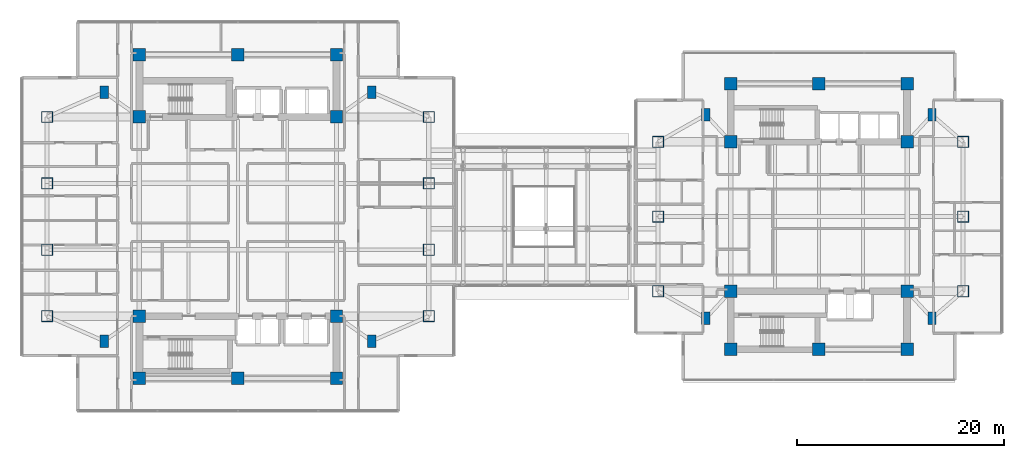
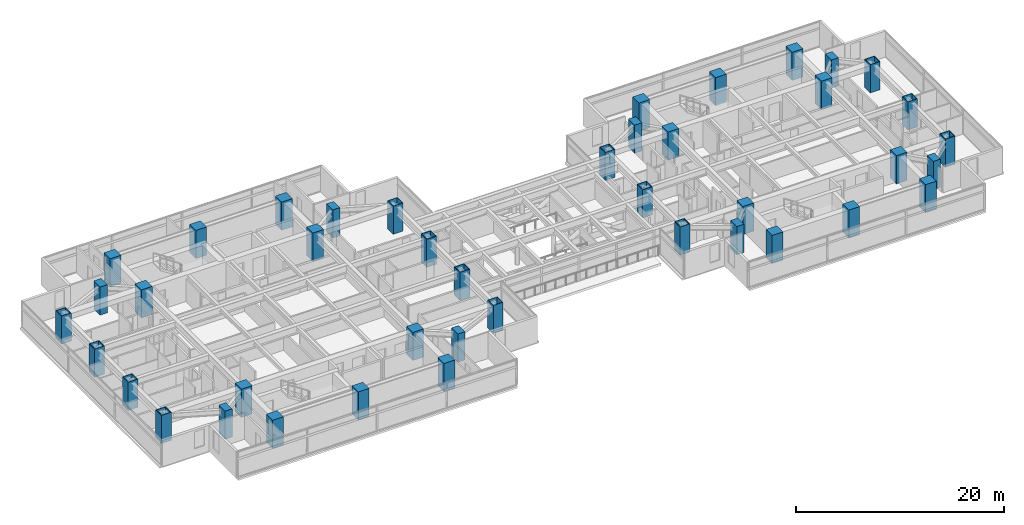
# One storey, part 1 of 27: 42 columns.
"""IFC4 building model written with IfcOpenShell, lengths in metres."""

from ifc_helpers import new_model, si_unit, direction, frame, origin, origin_2d, place, context, subcontext, project, spatial, rectangle, hollow_rectangle, extrude, material, material_profile, profile_set, type_object, element, save


model = new_model("IFC4")

# Units and contexts
model_context = context("Model", 3, precision=1e-05, world=origin(), true_north=direction((0.0, 1.0)))
body_context = subcontext(model_context, "Body", "Model", "MODEL_VIEW")
ifc_project = project(units=[si_unit("LENGTHUNIT", "METRE"), si_unit("AREAUNIT", "SQUARE_METRE"), si_unit("VOLUMEUNIT", "CUBIC_METRE"), si_unit("PLANEANGLEUNIT", "RADIAN"), si_unit("MASSUNIT", "GRAM", prefix="KILO")], contexts=[model_context])

# Site, building, storey
site_placement = place(None, origin())
site = spatial("IfcSite", under=ifc_project, at=site_placement, CompositionType="ELEMENT")
building_placement = place(site_placement, origin())
building = spatial("IfcBuilding", under=site, at=building_placement, Name="Mirazonda Arch Towers", CompositionType="ELEMENT")
storey_placement = place(building_placement, frame((0.0, 0.0, 95.0)))
storey = spatial("IfcBuildingStorey", under=building, at=storey_placement, Name="L26", CompositionType="ELEMENT", Elevation=95.0)

# Columns
ifc_material_1 = material(Name="Concrete C50/60", Category="concrete")
ifc_material_profile_1 = material_profile(ifc_material_1, rectangle(XDim=1.199951171875, YDim=1.199951171875, at=origin_2d()), Name="RC1200x1200")
ifc_profile_set_1 = profile_set([ifc_material_profile_1], Name="Concrete C50/60")
column_type_1 = type_object("IfcColumnType", Name="COL-INT-RC1200x1200", PredefinedType="COLUMN", material=ifc_profile_set_1)
for number, where, z_axis, x_axis, name in (
    (1, (11.0, 12.39990234375, 0.0), (0.0, 0.0, 1.0), (1.0, 0.0, 0.0), "L26 T1 Core Column 01"),
    (2, (20.5, 12.39990234375, 0.0), (0.0, 0.0, 1.0), (1.0, 0.0, 0.0), "L26 T1 Core Column 02"),
    (3, (30.0, 12.39990234375, 0.0), (0.0, 0.0, 1.0), (1.0, 0.0, 0.0), "L26 T1 Core Column 03"),
    (4, (11.0, 18.39990234375, 0.0), (0.0, 0.0, 1.0), (1.0, 0.0, 0.0), "L26 T1 Core Column 04"),
    (5, (30.0, 18.39990234375, 0.0), (0.0, 0.0, 1.0), (1.0, 0.0, 0.0), "L26 T1 Core Column 05"),
    (6, (11.0, 37.60009765625, 0.0), (0.0, 0.0, 1.0), (1.0, 0.0, 0.0), "L26 T1 Core Column 06"),
    (7, (30.0, 37.60009765625, 0.0), (0.0, 0.0, 1.0), (1.0, 0.0, 0.0), "L26 T1 Core Column 07"),
    (8, (11.0, 43.60009765625, 0.0), (0.0, 0.0, 1.0), (1.0, 0.0, 0.0), "L26 T1 Core Column 08"),
    (9, (20.5, 43.60009765625, 0.0), (0.0, 0.0, 1.0), (1.0, 0.0, 0.0), "L26 T1 Core Column 09"),
    (10, (30.0, 43.60009765625, 0.0), (0.0, 0.0, 1.0), (1.0, 0.0, 0.0), "L26 T1 Core Column 10"),
    (11, (68.0, 15.199951171875, 0.0), (0.0, 0.0, 1.0), (1.0, 0.0, 0.0), "L26 T2 Core Column 01"),
    (12, (76.5, 15.199951171875, 0.0), (0.0, 0.0, 1.0), (1.0, 0.0, 0.0), "L26 T2 Core Column 02"),
    (13, (85.0, 15.199951171875, 0.0), (0.0, 0.0, 1.0), (1.0, 0.0, 0.0), "L26 T2 Core Column 03"),
    (14, (68.0, 20.800048828125, 0.0), (0.0, 0.0, 1.0), (1.0, 0.0, 0.0), "L26 T2 Core Column 04"),
    (15, (85.0, 20.800048828125, 0.0), (0.0, 0.0, 1.0), (1.0, 0.0, 0.0), "L26 T2 Core Column 05"),
    (16, (68.0, 35.199951171875, 0.0), (0.0, 0.0, 1.0), (1.0, 0.0, 0.0), "L26 T2 Core Column 06"),
    (17, (85.0, 35.199951171875, 0.0), (0.0, 0.0, 1.0), (1.0, 0.0, 0.0), "L26 T2 Core Column 07"),
    (18, (68.0, 40.800048828125, 0.0), (0.0, 0.0, 1.0), (1.0, 0.0, 0.0), "L26 T2 Core Column 08"),
    (19, (76.5, 40.800048828125, 0.0), (0.0, 0.0, 1.0), (1.0, 0.0, 0.0), "L26 T2 Core Column 09"),
    (20, (85.0, 40.800048828125, 0.0), (0.0, 0.0, 1.0), (1.0, 0.0, 0.0), "L26 T2 Core Column 10"),
):
    element("IfcColumn", number, at=place(storey_placement, frame(where, z_axis=z_axis, x_axis=x_axis)), inside=storey, type_object=column_type_1, Name=name, PredefinedType="COLUMN", context=body_context, shape_type="SweptSolid", body=[
        extrude(rectangle(XDim=1.199951171875, YDim=1.199951171875, at=origin_2d()), origin(), (0.0, 0.0, 1.0), 3.300048828125),
    ])
ifc_material_2 = material(Name="Steel ASTM A572 Grade 50", Category="steel")
ifc_material_profile_2 = material_profile(ifc_material_2, hollow_rectangle(XDim=1.10009765625, YDim=1.10009765625, WallThickness=0.06005859375, at=origin_2d()), Name="BOX1100x1100x60")
ifc_profile_set_2 = profile_set([ifc_material_profile_2], Name="Steel ASTM A572 Grade 50")
column_type_2 = type_object("IfcColumnType", Name="MCOL-EXT-BOX1100x1100x60", PredefinedType="COLUMN", material=ifc_profile_set_2)
for number, where, z_axis, x_axis, name in (
    (21, (2.10009765625, 18.39990234375, 0.0), (0.0, 0.0, 1.0), (1.0, 0.0, 0.0), "L26 T1 Composite Mega-Column 01"),
    (22, (2.10009765625, 24.800048828125, 0.0), (0.0, 0.0, 1.0), (1.0, 0.0, 0.0), "L26 T1 Composite Mega-Column 02"),
    (23, (2.10009765625, 31.199951171875, 0.0), (0.0, 0.0, 1.0), (1.0, 0.0, 0.0), "L26 T1 Composite Mega-Column 03"),
    (24, (2.10009765625, 37.60009765625, 0.0), (0.0, 0.0, 1.0), (1.0, 0.0, 0.0), "L26 T1 Composite Mega-Column 04"),
    (25, (38.89990234375, 18.39990234375, 0.0), (0.0, 0.0, 1.0), (1.0, 0.0, 0.0), "L26 T1 Composite Mega-Column 05"),
    (26, (38.89990234375, 24.800048828125, 0.0), (0.0, 0.0, 1.0), (1.0, 0.0, 0.0), "L26 T1 Composite Mega-Column 06"),
    (27, (38.89990234375, 31.199951171875, 0.0), (0.0, 0.0, 1.0), (1.0, 0.0, 0.0), "L26 T1 Composite Mega-Column 07"),
    (28, (38.89990234375, 37.60009765625, 0.0), (0.0, 0.0, 1.0), (1.0, 0.0, 0.0), "L26 T1 Composite Mega-Column 08"),
    (29, (61.0, 20.800048828125, 0.0), (0.0, 0.0, 1.0), (1.0, 0.0, 0.0), "L26 T2 Composite Mega-Column 01"),
    (30, (61.0, 28.0, 0.0), (0.0, 0.0, 1.0), (1.0, 0.0, 0.0), "L26 T2 Composite Mega-Column 02"),
    (31, (61.0, 35.199951171875, 0.0), (0.0, 0.0, 1.0), (1.0, 0.0, 0.0), "L26 T2 Composite Mega-Column 03"),
    (32, (90.39990234375, 20.800048828125, 0.0), (0.0, 0.0, 1.0), (1.0, 0.0, 0.0), "L26 T2 Composite Mega-Column 04"),
    (33, (90.39990234375, 28.0, 0.0), (0.0, 0.0, 1.0), (1.0, 0.0, 0.0), "L26 T2 Composite Mega-Column 05"),
    (34, (90.39990234375, 35.199951171875, 0.0), (0.0, 0.0, 1.0), (1.0, 0.0, 0.0), "L26 T2 Composite Mega-Column 06"),
):
    element("IfcColumn", number, at=place(storey_placement, frame(where, z_axis=z_axis, x_axis=x_axis)), inside=storey, type_object=column_type_2, Name=name, PredefinedType="COLUMN", context=body_context, shape_type="SweptSolid", body=[
        extrude(hollow_rectangle(XDim=1.10009765625, YDim=1.10009765625, WallThickness=0.06005859375, at=origin_2d()), origin(), (0.0, 0.0, 1.0), 3.300048828125),
    ])
ifc_material_3 = material(Name="Concrete C60/75", Category="concrete")
ifc_material_profile_3 = material_profile(ifc_material_3, rectangle(XDim=0.800048828125, YDim=1.199951171875, at=origin_2d()), Name="RC1200x800")
ifc_profile_set_3 = profile_set([ifc_material_profile_3], Name="Concrete C60/75")
column_type_3 = type_object("IfcColumnType", Name="PIL-EXT-RC1200x800", PredefinedType="PILASTER", material=ifc_profile_set_3)
for number, where, z_axis, x_axis, name in (
    (35, (7.60009765625, 16.0, 0.0), (0.0, 0.0, 1.0), (1.0, 0.0, 0.0), "L26 T1 Corner Pilaster 01"),
    (36, (33.39990234375, 16.0, 0.0), (0.0, 0.0, 1.0), (1.0, 0.0, 0.0), "L26 T1 Corner Pilaster 02"),
    (37, (7.60009765625, 40.0, 0.0), (0.0, 0.0, 1.0), (1.0, 0.0, 0.0), "L26 T1 Corner Pilaster 03"),
    (38, (33.39990234375, 40.0, 0.0), (0.0, 0.0, 1.0), (1.0, 0.0, 0.0), "L26 T1 Corner Pilaster 04"),
    (39, (65.60009765625, 18.199951171875, 0.0), (0.0, 0.0, 1.0), (1.0, 0.0, 0.0), "L26 T2 Corner Pilaster 01"),
    (40, (87.39990234375, 18.199951171875, 0.0), (0.0, 0.0, 1.0), (1.0, 0.0, 0.0), "L26 T2 Corner Pilaster 02"),
    (41, (65.60009765625, 37.800048828125, 0.0), (0.0, 0.0, 1.0), (1.0, 0.0, 0.0), "L26 T2 Corner Pilaster 03"),
    (42, (87.39990234375, 37.800048828125, 0.0), (0.0, 0.0, 1.0), (1.0, 0.0, 0.0), "L26 T2 Corner Pilaster 04"),
):
    element("IfcColumn", number, at=place(storey_placement, frame(where, z_axis=z_axis, x_axis=x_axis)), inside=storey, type_object=column_type_3, Name=name, PredefinedType="PILASTER", context=body_context, shape_type="SweptSolid", body=[
        extrude(rectangle(XDim=0.800048828125, YDim=1.199951171875, at=origin_2d()), origin(), (0.0, 0.0, 1.0), 3.300048828125),
    ])

save(model, "model.ifc")
